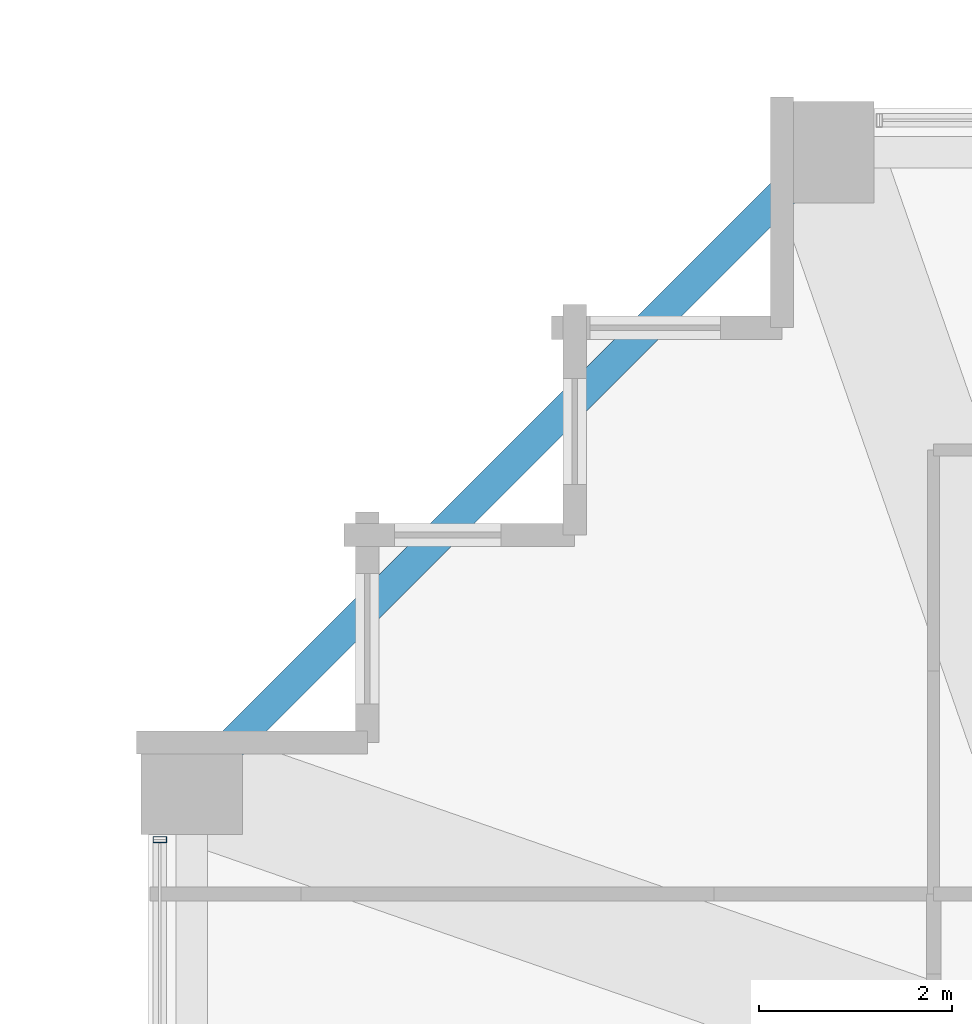
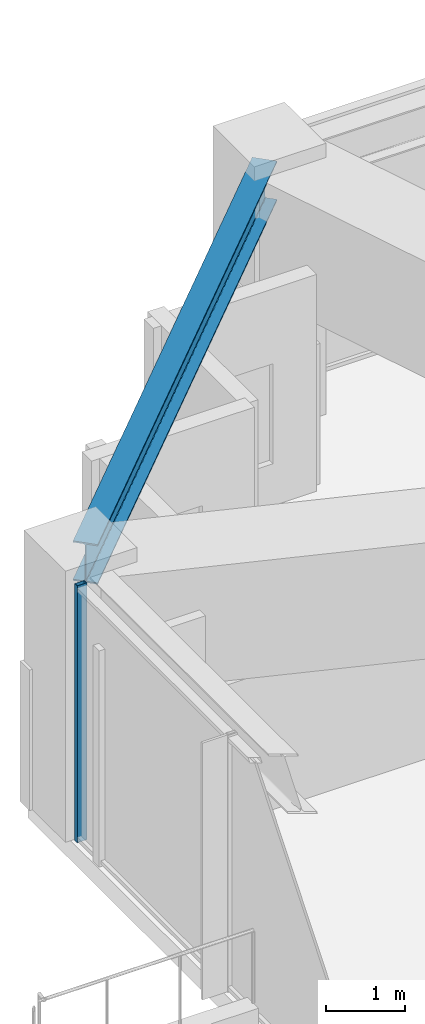
# One storey, part 20 of 40: 1 beam, 1 member, 1 element without a shape of its own.
"""IFC4 building model written with IfcOpenShell, lengths in metres."""

import ifcopenshell
import ifcopenshell.guid

model = None  # the IFC model being written
_history = None  # IfcOwnerHistory: only IFC2X3 demands one
_inside = {}  # id of a spatial element -> (the spatial element, [elements in it])
_under = {}  # id of a project, library or spatial element -> (it, [spatial elements below it])
_declared = {}  # id of a project -> (the project, [libraries it declares])
_typed = {}  # id of a type object -> (the type object, [elements of that type])
_made_of = {}  # id of a material, layer set ... -> (it, [elements and type objects made of it])


def new_model(schema):
    """Start an empty IFC model of exactly this schema.

    Asked for "IFC4X3", IfcOpenShell would pick the latest addendum, in which some entities
    have other attributes; the version numbers below select the first issue.
    IFC2X3 requires an IfcOwnerHistory on every rooted entity: one is made here for all.
    """
    global model, _history
    if schema == "IFC4X3":
        model = ifcopenshell.file(schema_version=(4, 3, 0, 0))
    else:
        model = ifcopenshell.file(schema=schema)
    _inside.clear()
    _under.clear()
    _declared.clear()
    _typed.clear()
    _made_of.clear()
    _history = None
    if model.schema == "IFC2X3":
        org = make("IfcOrganization", Name="unknown")
        user = make(
            "IfcPersonAndOrganization",
            ThePerson=make("IfcPerson", FamilyName="unknown"),
            TheOrganization=org,
        )
        app = make(
            "IfcApplication",
            ApplicationDeveloper=org,
            Version="unknown",
            ApplicationFullName="unknown",
            ApplicationIdentifier="unknown",
        )
        _history = make(
            "IfcOwnerHistory",
            OwningUser=user,
            OwningApplication=app,
            ChangeAction="ADDED",
            CreationDate=0,
        )
    return model


def make(cls, **values):
    """One entity of the class cls with the attributes given. An attribute that is None is left unset."""
    return model.create_entity(
        cls, **{name: value for name, value in values.items() if value is not None}
    )


def rooted(cls, **values):
    """An entity with a GlobalId (a new one), such as an element, a storey or a relation."""
    return make(cls, GlobalId=ifcopenshell.guid.new(), OwnerHistory=_history, **values)


def si_unit(unit_type, name, prefix=None):
    """IfcSIUnit, for example si_unit("LENGTHUNIT", "METRE", prefix="MILLI")."""
    return make("IfcSIUnit", UnitType=unit_type, Prefix=prefix, Name=name)


def assignment(units):
    """IfcUnitAssignment: the units of a project."""
    return None if units is None else make("IfcUnitAssignment", Units=units)


def point(xyz):
    """IfcCartesianPoint."""
    return None if xyz is None else make("IfcCartesianPoint", Coordinates=xyz)


def direction(xyz):
    """IfcDirection."""
    return None if xyz is None else make("IfcDirection", DirectionRatios=xyz)


def frame(location, z_axis=None, x_axis=None):
    """IfcAxis2Placement3D, a coordinate frame: its origin and axes. An axis left out is left unset."""
    return make(
        "IfcAxis2Placement3D",
        Location=point(location),
        Axis=direction(z_axis),
        RefDirection=direction(x_axis),
    )


def frame_2d(location, x_axis=None):
    """IfcAxis2Placement2D, a coordinate frame in the plane: its origin and x axis."""
    return make(
        "IfcAxis2Placement2D", Location=point(location), RefDirection=direction(x_axis)
    )


def origin():
    """The frame at (0, 0, 0) with its axes left unset."""
    return frame((0.0, 0.0, 0.0))


def origin_2d():
    """The frame at (0, 0) in the plane with its x axis left unset."""
    return frame_2d((0.0, 0.0))


def place(relative_to, where):
    """IfcLocalPlacement: puts the frame where relative to a parent placement (None: the world)."""
    return make(
        "IfcLocalPlacement", PlacementRelTo=relative_to, RelativePlacement=where
    )


def context(
    kind, dimensions, precision=None, world=None, true_north=None, identifier=None
):
    """IfcGeometricRepresentationContext, for example the 3D "Model" context."""
    return make(
        "IfcGeometricRepresentationContext",
        ContextIdentifier=identifier,
        ContextType=kind,
        CoordinateSpaceDimension=dimensions,
        Precision=precision,
        WorldCoordinateSystem=world,
        TrueNorth=true_north,
    )


def subcontext(parent, identifier, kind, view, scale=None):
    """IfcGeometricRepresentationSubContext, for example "Body" below "Model"."""
    return make(
        "IfcGeometricRepresentationSubContext",
        ContextIdentifier=identifier,
        ContextType=kind,
        ParentContext=parent,
        TargetScale=scale,
        TargetView=view,
    )


def project(units=None, contexts=None):
    """IfcProject with its units and contexts."""
    return rooted(
        "IfcProject",
        Name="project",
        RepresentationContexts=contexts,
        UnitsInContext=assignment(units),
    )


def spatial(cls, under=None, at=None, **own):
    """A site, building, storey or space (cls), placed at a placement, below another one or the project."""
    s = rooted(cls, ObjectPlacement=at, **own)
    if under is not None:
        _under.setdefault(under.id(), (under, []))[1].append(s)
    return s


def profile(cls, at=None, kind="AREA", **sizes):
    """A parametric profile (cls). Its sizes go by their IFC names, for example OverallWidth=200.0."""
    return make(cls, ProfileType=kind, Position=at, **sizes)


def hollow_rectangle(**sizes):
    """IfcRectangleHollowProfileDef."""
    return profile("IfcRectangleHollowProfileDef", **sizes)


def i_section(**sizes):
    """IfcIShapeProfileDef."""
    return profile("IfcIShapeProfileDef", **sizes)


def extrude(swept, where, along, depth):
    """IfcExtrudedAreaSolid: the profile swept, set in the frame where, extruded along a direction by depth."""
    return make(
        "IfcExtrudedAreaSolid",
        SweptArea=swept,
        Position=where,
        ExtrudedDirection=direction(along),
        Depth=depth,
    )


def shape(context_of_items, identifier, shape_type, items):
    """IfcShapeRepresentation: the items that make up one representation, for example the "Body"."""
    return make(
        "IfcShapeRepresentation",
        ContextOfItems=context_of_items,
        RepresentationIdentifier=identifier,
        RepresentationType=shape_type,
        Items=items,
    )


def material(Name=None, Category=None):
    """IfcMaterial."""
    return make("IfcMaterial", Name=Name, Category=Category)


def material_profile(
    of_material, cross_section, Name=None, Category=None, Priority=None
):
    """IfcMaterialProfile: a cross section and its material."""
    return make(
        "IfcMaterialProfile",
        Name=Name,
        Material=of_material,
        Profile=cross_section,
        Priority=Priority,
        Category=Category,
    )


def profile_set(profiles, Name=None, composite=None):
    """IfcMaterialProfileSet."""
    return make(
        "IfcMaterialProfileSet",
        Name=Name,
        MaterialProfiles=profiles,
        CompositeProfile=composite,
    )


def made_of(thing, what):
    """Note that an element or type object is made of a material, layer set ...; save() writes the relation."""
    if what is not None:
        _made_of.setdefault(what.id(), (what, []))[1].append(thing)
    return thing


def type_object(cls, material=None, **own):
    """A type object (cls), such as IfcWallType, which elements share."""
    return made_of(rooted(cls, **own), material)


def element(
    cls,
    number,
    at=None,
    inside=None,
    cuts=None,
    type_object=None,
    material=None,
    context=None,
    identifier="Body",
    shape_type=None,
    held_by="IfcProductDefinitionShape",
    body=None,
    shapes=None,
    **own,
):
    """One element of the class cls, such as IfcWall. Its Tag is "e" and its number.

    at: its placement. inside: the storey or other place that contains it. cuts: it is an
    opening in that element (IfcRelVoidsElement). A single representation is given by context,
    identifier, shape_type and body (its items); several are given by shapes. held_by: the class
    of the entity that holds the representations. save() writes the other relations.
    """
    e = rooted(cls, Tag="e%d" % number, ObjectPlacement=at, **own)
    if body is not None:
        shapes = [shape(context, identifier, shape_type, body)]
    if shapes is not None:
        e.Representation = make(held_by, Representations=shapes)
    if inside is not None:
        _inside.setdefault(inside.id(), (inside, []))[1].append(e)
    if cuts is not None:
        rooted(
            "IfcRelVoidsElement", RelatingBuildingElement=cuts, RelatedOpeningElement=e
        )
    if type_object is not None:
        _typed.setdefault(type_object.id(), (type_object, []))[1].append(e)
    return made_of(e, material)


def aggregate(whole, parts):
    """IfcRelAggregates: a whole, such as a stair, and the parts it consists of."""
    return rooted("IfcRelAggregates", RelatingObject=whole, RelatedObjects=parts)


def save(model, path):
    """Write the relations noted so far, then the file.

    IfcRelAggregates (storeys below a building ...), IfcRelContainedInSpatialStructure (elements
    in a storey), IfcRelDefinesByType, IfcRelAssociatesMaterial and IfcRelDeclares: one each for
    every whole, place, type object, material and project.
    """
    for whole, parts in _under.values():
        aggregate(whole, parts)
    for where, things in _inside.values():
        rooted(
            "IfcRelContainedInSpatialStructure",
            RelatedElements=things,
            RelatingStructure=where,
        )
    for kind, things in _typed.values():
        rooted("IfcRelDefinesByType", RelatedObjects=things, RelatingType=kind)
    for what, things in _made_of.values():
        rooted("IfcRelAssociatesMaterial", RelatedObjects=things, RelatingMaterial=what)
    for by, libraries in _declared.values():
        rooted("IfcRelDeclares", RelatingContext=by, RelatedDefinitions=libraries)
    model.write(path)


model = new_model("IFC4")

# Units and contexts
model_context = context("Model", 3, precision=1e-05, world=origin(), true_north=direction((0.0, 1.0)))
body_context = subcontext(model_context, "Body", "Model", "MODEL_VIEW")
ifc_project = project(units=[si_unit("LENGTHUNIT", "METRE"), si_unit("AREAUNIT", "SQUARE_METRE"), si_unit("VOLUMEUNIT", "CUBIC_METRE"), si_unit("PLANEANGLEUNIT", "RADIAN"), si_unit("MASSUNIT", "GRAM", prefix="KILO")], contexts=[model_context])

# Site, building, storey
site_placement = place(None, origin())
site = spatial("IfcSite", under=ifc_project, at=site_placement, CompositionType="ELEMENT")
building_placement = place(site_placement, origin())
building = spatial("IfcBuilding", under=site, at=building_placement, Name="Kolvaren Belvedere", CompositionType="ELEMENT")
storey_placement = place(building_placement, frame((0.0, 0.0, 68.0)))
storey = spatial("IfcBuildingStorey", under=building, at=storey_placement, Name="L19", CompositionType="ELEMENT", Elevation=68.0)

# Beam
ifc_material_1 = material(Name="Structural steel ASTM A992 Grade 50", Category="steel")
ifc_material_profile_1 = material_profile(ifc_material_1, i_section(OverallWidth=0.324951171875, OverallDepth=0.615966796875, WebThickness=0.013916015625, FlangeThickness=0.021484375, FilletRadius=0.02001953125, at=origin_2d()), Name="W24X117")
ifc_profile_set_1 = profile_set([ifc_material_profile_1], Name="Structural steel ASTM A992 Grade 50")
beam_type = type_object("IfcBeamType", Name="BM-SPAN-W24X117", PredefinedType="SPANDREL", material=ifc_profile_set_1)
beam_placement = place(storey_placement, frame((-13.567138671875, 19.782958984375, 3.672119140625), z_axis=(-0.707106781187, -0.707106781187, 0.0), x_axis=(0.707106781187, -0.707106781187, 0.0)))
element("IfcBeam", 1, at=beam_placement, inside=storey, type_object=beam_type, Name="L19 Perimeter Spandrel N1-W4", PredefinedType="SPANDREL", context=body_context, shape_type="SweptSolid", body=[
    extrude(i_section(OverallWidth=0.324951171875, OverallDepth=0.615966796875, WebThickness=0.013916015625, FlangeThickness=0.021484375, FilletRadius=0.02001953125, at=origin_2d()), origin(), (0.0, 0.0, 1.0), 8.79052734375),
])

# Curtain wall, member
ifc_material_2 = material(Name="Anodised pale-metal aluminium AA 6063-T6", Category="aluminium")
curtain_wall_type = type_object("IfcCurtainWallType", Name="CW-Z2-MID", PredefinedType="NOTDEFINED", material=ifc_material_2)
curtain_wall_placement = place(storey_placement, origin())
curtain_wall = element("IfcCurtainWall", 2, at=curtain_wall_placement, inside=storey, type_object=curtain_wall_type, Name="L19 Unitised Curtain Wall FCW-L19-W2-B2", PredefinedType="NOTDEFINED")
ifc_material_3 = material(Name="Anodised pale-metal aluminium AA 6063-T6", Category="aluminium")
ifc_material_profile_2 = material_profile(ifc_material_3, hollow_rectangle(XDim=0.06494140625, YDim=0.139892578125, WallThickness=0.00390625, at=origin_2d()), Name="ALU-MUL-140X65")
ifc_profile_set_2 = profile_set([ifc_material_profile_2], Name="Anodised pale-metal aluminium AA 6063-T6")
member_type = type_object("IfcMemberType", Name="CW-MUL-140", PredefinedType="MULLION", material=ifc_profile_set_2)
member_placement = place(storey_placement, frame((-20.280029296875, 12.822509765625, 0.0), z_axis=(0.0, 0.0, 1.0), x_axis=(0.0, 1.0, 0.0)))
member = element("IfcMember", 3, at=member_placement, type_object=member_type, Name="FCW-L19-W2-B2 Unitised Mullion 3", PredefinedType="MULLION", context=body_context, shape_type="SweptSolid", body=[
    extrude(hollow_rectangle(XDim=0.06494140625, YDim=0.139892578125, WallThickness=0.00390625, at=origin_2d()), origin(), (0.0, 0.0, 1.0), 3.97998046875),
])
aggregate(curtain_wall, [member])

save(model, "model.ifc")
